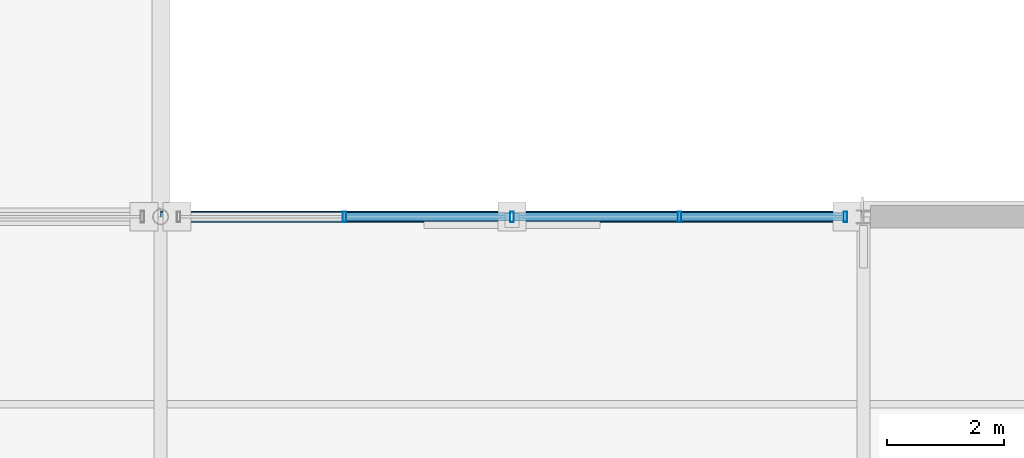
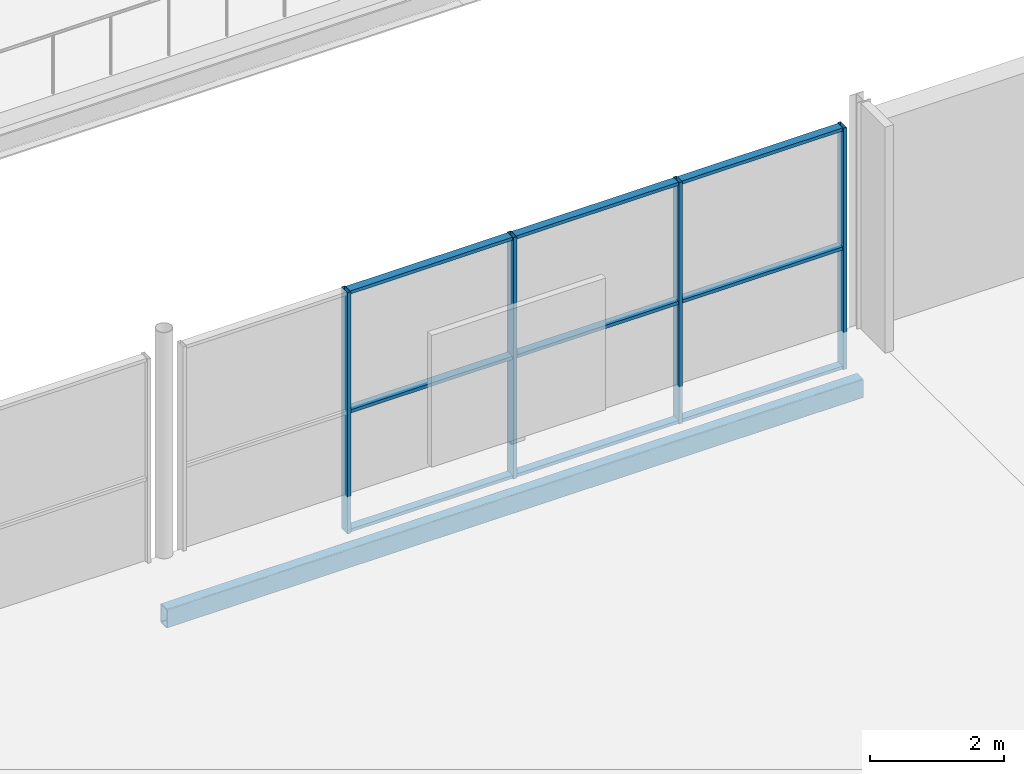
# One storey, part 48 of 159: 13 members, 1 beam, 1 element without a shape of its own.
"""IFC4 building model written with IfcOpenShell, lengths in metres."""

from ifc_helpers import new_model, si_unit, direction, frame, origin, origin_2d, place, context, subcontext, project, spatial, hollow_rectangle, extrude, material, material_profile, profile_set, type_object, element, aggregate, save


model = new_model("IFC4")

# Units and contexts
model_context = context("Model", 3, precision=1e-05, world=origin(), true_north=direction((0.0, 1.0)))
body_context = subcontext(model_context, "Body", "Model", "MODEL_VIEW")
ifc_project = project(units=[si_unit("LENGTHUNIT", "METRE"), si_unit("AREAUNIT", "SQUARE_METRE"), si_unit("VOLUMEUNIT", "CUBIC_METRE"), si_unit("PLANEANGLEUNIT", "RADIAN"), si_unit("MASSUNIT", "GRAM", prefix="KILO")], contexts=[model_context])

# Site, building, storey
site_placement = place(None, origin())
site = spatial("IfcSite", under=ifc_project, at=site_placement, CompositionType="ELEMENT")
building_placement = place(site_placement, origin())
building = spatial("IfcBuilding", under=site, at=building_placement, Name="Merenkruunu Market Hall", CompositionType="ELEMENT")
storey_placement = place(building_placement, frame((0.0, 0.0, 5.39990234375)))
storey = spatial("IfcBuildingStorey", under=building, at=storey_placement, Name="L01", CompositionType="ELEMENT", Elevation=5.39990234375)

# Curtain wall, members
ifc_material_1 = material(Name="Powder-coated aluminium", Category="aluminium")
curtain_wall_type = type_object("IfcCurtainWallType", Name="Glazed Curtain Wall CW02", PredefinedType="USERDEFINED", material=ifc_material_1)
curtain_wall_placement = place(storey_placement, origin())
curtain_wall = element("IfcCurtainWall", 1, at=curtain_wall_placement, inside=storey, type_object=curtain_wall_type, Name="CW-L01-CWM02-181", ObjectType="GLAZED_FACADE", PredefinedType="USERDEFINED")
ifc_material_profile_1 = material_profile(ifc_material_1, hollow_rectangle(XDim=0.06005859375, YDim=0.179931640625, WallThickness=0.00390625, at=origin_2d()), Name="ALU 60x180x4")
ifc_profile_set_1 = profile_set([ifc_material_profile_1], Name="Powder-coated aluminium")
member_type_1 = type_object("IfcMemberType", Name="Curtain Wall Mullion CWM02", PredefinedType="MULLION", material=ifc_profile_set_1)
member_1_placement = place(storey_placement, frame((88.489990234375, 15.60009765625, 0.0), z_axis=(0.0, 0.0, 1.0), x_axis=(-1.0, 0.0, 0.0)))
member_1 = element("IfcMember", 2, at=member_1_placement, type_object=member_type_1, Name="CW02 mullion 1", PredefinedType="MULLION", context=body_context, shape_type="SweptSolid", body=[
    extrude(hollow_rectangle(XDim=0.06005859375, YDim=0.179931640625, WallThickness=0.00390625, at=origin_2d()), origin(), (0.0, 0.0, 1.0), 4.400146484375),
])
member_2_placement = place(storey_placement, frame((85.659912109375, 15.60009765625, 0.0), z_axis=(0.0, 0.0, 1.0), x_axis=(-1.0, 0.0, 0.0)))
member_2 = element("IfcMember", 3, at=member_2_placement, type_object=member_type_1, Name="CW02 mullion 2", PredefinedType="MULLION", context=body_context, shape_type="SweptSolid", body=[
    extrude(hollow_rectangle(XDim=0.06005859375, YDim=0.179931640625, WallThickness=0.00390625, at=origin_2d()), origin(), (0.0, 0.0, 1.0), 4.400146484375),
])
member_3_placement = place(storey_placement, frame((82.800048828125, 15.60009765625, 0.0), z_axis=(0.0, 0.0, 1.0), x_axis=(-1.0, 0.0, 0.0)))
member_3 = element("IfcMember", 4, at=member_3_placement, type_object=member_type_1, Name="CW02 mullion 3", PredefinedType="MULLION", context=body_context, shape_type="SweptSolid", body=[
    extrude(hollow_rectangle(XDim=0.06005859375, YDim=0.179931640625, WallThickness=0.00390625, at=origin_2d()), origin(), (0.0, 0.0, 1.0), 4.400146484375),
])
member_4_placement = place(storey_placement, frame((79.93994140625, 15.60009765625, 0.0), z_axis=(0.0, 0.0, 1.0), x_axis=(-1.0, 0.0, 0.0)))
member_4 = element("IfcMember", 5, at=member_4_placement, type_object=member_type_1, Name="CW02 mullion 4", PredefinedType="MULLION", context=body_context, shape_type="SweptSolid", body=[
    extrude(hollow_rectangle(XDim=0.06005859375, YDim=0.179931640625, WallThickness=0.00390625, at=origin_2d()), origin(), (0.0, 0.0, 1.0), 4.400146484375),
])
ifc_material_profile_2 = material_profile(ifc_material_1, hollow_rectangle(XDim=0.06005859375, YDim=0.139892578125, WallThickness=0.00390625, at=origin_2d()), Name="ALU 60x140x4")
ifc_profile_set_2 = profile_set([ifc_material_profile_2], Name="Powder-coated aluminium")
member_type_2 = type_object("IfcMemberType", Name="Curtain Wall Transom CWT02", PredefinedType="USERDEFINED", material=ifc_profile_set_2)
member_5_placement = place(storey_placement, frame((88.4599609375, 15.60009765625, 0.030029296875), z_axis=(-1.0, 0.0, 0.0), x_axis=(0.0, 0.0, 1.0)))
member_5 = element("IfcMember", 6, at=member_5_placement, type_object=member_type_2, Name="CW02 transom 1.1", ObjectType="TRANSOM", PredefinedType="USERDEFINED", context=body_context, shape_type="SweptSolid", body=[
    extrude(hollow_rectangle(XDim=0.06005859375, YDim=0.139892578125, WallThickness=0.00390625, at=origin_2d()), origin(), (0.0, 0.0, 1.0), 2.77001953125),
])
member_6_placement = place(storey_placement, frame((88.4599609375, 15.60009765625, 2.2001953125), z_axis=(-1.0, 0.0, 0.0), x_axis=(0.0, 0.0, 1.0)))
member_6 = element("IfcMember", 7, at=member_6_placement, type_object=member_type_2, Name="CW02 transom 1.2", ObjectType="TRANSOM", PredefinedType="USERDEFINED", context=body_context, shape_type="SweptSolid", body=[
    extrude(hollow_rectangle(XDim=0.06005859375, YDim=0.139892578125, WallThickness=0.00390625, at=origin_2d()), origin(), (0.0, 0.0, 1.0), 2.77001953125),
])
member_7_placement = place(storey_placement, frame((88.4599609375, 15.60009765625, 4.3701171875), z_axis=(-1.0, 0.0, 0.0), x_axis=(0.0, 0.0, 1.0)))
member_7 = element("IfcMember", 8, at=member_7_placement, type_object=member_type_2, Name="CW02 transom 1.3", ObjectType="TRANSOM", PredefinedType="USERDEFINED", context=body_context, shape_type="SweptSolid", body=[
    extrude(hollow_rectangle(XDim=0.06005859375, YDim=0.139892578125, WallThickness=0.00390625, at=origin_2d()), origin(), (0.0, 0.0, 1.0), 2.77001953125),
])
member_8_placement = place(storey_placement, frame((85.6298828125, 15.60009765625, 0.030029296875), z_axis=(-1.0, 0.0, 0.0), x_axis=(0.0, 0.0, 1.0)))
member_8 = element("IfcMember", 9, at=member_8_placement, type_object=member_type_2, Name="CW02 transom 2.1", ObjectType="TRANSOM", PredefinedType="USERDEFINED", context=body_context, shape_type="SweptSolid", body=[
    extrude(hollow_rectangle(XDim=0.06005859375, YDim=0.139892578125, WallThickness=0.00390625, at=origin_2d()), origin(), (0.0, 0.0, 1.0), 2.7998046875),
])
member_9_placement = place(storey_placement, frame((85.6298828125, 15.60009765625, 2.2001953125), z_axis=(-1.0, 0.0, 0.0), x_axis=(0.0, 0.0, 1.0)))
member_9 = element("IfcMember", 10, at=member_9_placement, type_object=member_type_2, Name="CW02 transom 2.2", ObjectType="TRANSOM", PredefinedType="USERDEFINED", context=body_context, shape_type="SweptSolid", body=[
    extrude(hollow_rectangle(XDim=0.06005859375, YDim=0.139892578125, WallThickness=0.00390625, at=origin_2d()), origin(), (0.0, 0.0, 1.0), 2.7998046875),
])
member_10_placement = place(storey_placement, frame((85.6298828125, 15.60009765625, 4.3701171875), z_axis=(-1.0, 0.0, 0.0), x_axis=(0.0, 0.0, 1.0)))
member_10 = element("IfcMember", 11, at=member_10_placement, type_object=member_type_2, Name="CW02 transom 2.3", ObjectType="TRANSOM", PredefinedType="USERDEFINED", context=body_context, shape_type="SweptSolid", body=[
    extrude(hollow_rectangle(XDim=0.06005859375, YDim=0.139892578125, WallThickness=0.00390625, at=origin_2d()), origin(), (0.0, 0.0, 1.0), 2.7998046875),
])
member_11_placement = place(storey_placement, frame((82.77001953125, 15.60009765625, 0.030029296875), z_axis=(-1.0, 0.0, 0.0), x_axis=(0.0, 0.0, 1.0)))
member_11 = element("IfcMember", 12, at=member_11_placement, type_object=member_type_2, Name="CW02 transom 3.1", ObjectType="TRANSOM", PredefinedType="USERDEFINED", context=body_context, shape_type="SweptSolid", body=[
    extrude(hollow_rectangle(XDim=0.06005859375, YDim=0.139892578125, WallThickness=0.00390625, at=origin_2d()), origin(), (0.0, 0.0, 1.0), 2.800048828125),
])
member_12_placement = place(storey_placement, frame((82.77001953125, 15.60009765625, 2.2001953125), z_axis=(-1.0, 0.0, 0.0), x_axis=(0.0, 0.0, 1.0)))
member_12 = element("IfcMember", 13, at=member_12_placement, type_object=member_type_2, Name="CW02 transom 3.2", ObjectType="TRANSOM", PredefinedType="USERDEFINED", context=body_context, shape_type="SweptSolid", body=[
    extrude(hollow_rectangle(XDim=0.06005859375, YDim=0.139892578125, WallThickness=0.00390625, at=origin_2d()), origin(), (0.0, 0.0, 1.0), 2.800048828125),
])
member_13_placement = place(storey_placement, frame((82.77001953125, 15.60009765625, 4.3701171875), z_axis=(-1.0, 0.0, 0.0), x_axis=(0.0, 0.0, 1.0)))
member_13 = element("IfcMember", 14, at=member_13_placement, type_object=member_type_2, Name="CW02 transom 3.3", ObjectType="TRANSOM", PredefinedType="USERDEFINED", context=body_context, shape_type="SweptSolid", body=[
    extrude(hollow_rectangle(XDim=0.06005859375, YDim=0.139892578125, WallThickness=0.00390625, at=origin_2d()), origin(), (0.0, 0.0, 1.0), 2.800048828125),
])
aggregate(curtain_wall, [member_1, member_2, member_3, member_4, member_5, member_6, member_7, member_8, member_9, member_10, member_11, member_12, member_13])

# Beam
ifc_material_2 = material(Name="Steel S355J2", Category="steel")
ifc_material_profile_3 = material_profile(ifc_material_2, hollow_rectangle(XDim=0.199951171875, YDim=0.35009765625, WallThickness=0.012451171875, InnerFilletRadius=0.012451171875, OuterFilletRadius=0.02490234375, at=origin_2d()), Name="RHS 350x200x12.5")
ifc_profile_set_3 = profile_set([ifc_material_profile_3], Name="Steel S355J2")
beam_type = type_object("IfcBeamType", Name="Perimeter Spandrel Beam SP02", PredefinedType="SPANDREL", material=ifc_profile_set_3)
beam_placement = place(storey_placement, frame((76.800048828125, 15.60009765625, -0.454833984375), z_axis=(1.0, 0.0, 0.0), x_axis=(0.0, 1.0, 0.0)))
element("IfcBeam", 15, at=beam_placement, inside=storey, type_object=beam_type, Name="BM-L01-SP02-1179", PredefinedType="SPANDREL", context=body_context, shape_type="SweptSolid", body=[
    extrude(hollow_rectangle(XDim=0.199951171875, YDim=0.35009765625, WallThickness=0.012451171875, InnerFilletRadius=0.012451171875, OuterFilletRadius=0.02490234375, at=origin_2d()), origin(), (0.0, 0.0, 1.0), 12.0),
])

save(model, "model.ifc")
